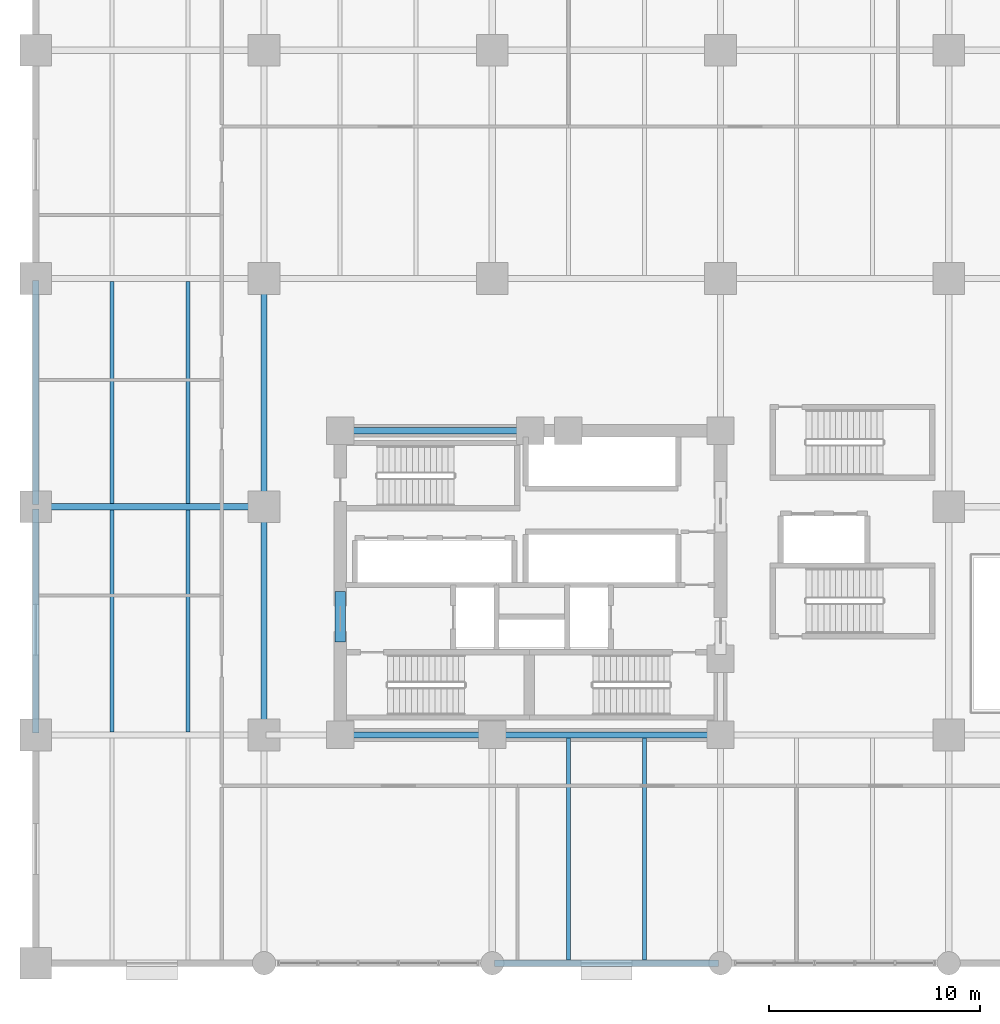
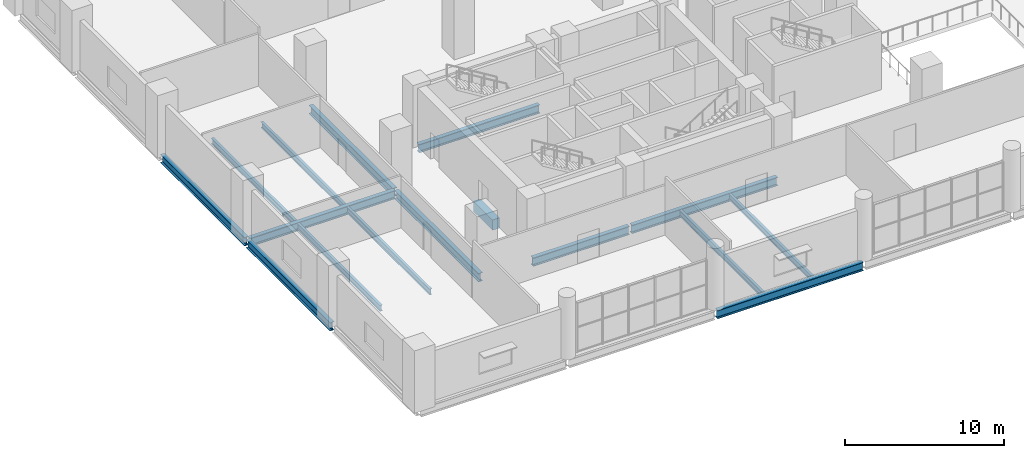
# One storey, part 4 of 16: 16 beams.
"""IFC4 building model written with IfcOpenShell, lengths in metres."""

from ifc_helpers import new_model, si_unit, direction, frame, origin, origin_2d, place, context, subcontext, project, spatial, rectangle, i_section, extrude, material, material_profile, profile_set, type_object, element, save


model = new_model("IFC4")

# Units and contexts
model_context = context("Model", 3, precision=1e-05, world=origin(), true_north=direction((0.0, 1.0)))
body_context = subcontext(model_context, "Body", "Model", "MODEL_VIEW")
ifc_project = project(units=[si_unit("LENGTHUNIT", "METRE"), si_unit("AREAUNIT", "SQUARE_METRE"), si_unit("VOLUMEUNIT", "CUBIC_METRE"), si_unit("PLANEANGLEUNIT", "RADIAN"), si_unit("MASSUNIT", "GRAM", prefix="KILO")], contexts=[model_context])

# Site, building, storey
site_placement = place(None, origin())
site = spatial("IfcSite", under=ifc_project, at=site_placement, CompositionType="ELEMENT")
building_placement = place(site_placement, origin())
building = spatial("IfcBuilding", under=site, at=building_placement, Name="Solnavia Interchange Tower", CompositionType="ELEMENT")
storey_placement = place(building_placement, frame((0.0, 0.0, 5.39990234375)))
storey = spatial("IfcBuildingStorey", under=building, at=storey_placement, Name="L01", CompositionType="ELEMENT", Elevation=5.39990234375)

# Beams
ifc_material_1 = material(Name="Concrete C50/60", Category="concrete")
ifc_material_profile_1 = material_profile(ifc_material_1, rectangle(XDim=0.5, YDim=0.800048828125, at=origin_2d()), Name="RC 500x800")
ifc_profile_set_1 = profile_set([ifc_material_profile_1], Name="Concrete C50/60")
beam_type_1 = type_object("IfcBeamType", Name="Beam-Coupling-RC500x800", PredefinedType="LINTEL", material=ifc_profile_set_1)
beam_1_placement = place(storey_placement, frame((14.39990234375, 15.199951171875, -0.39990234375), z_axis=(0.0, 1.0, 0.0), x_axis=(-1.0, 0.0, 0.0)))
element("IfcBeam", 1, at=beam_1_placement, inside=storey, type_object=beam_type_1, Name="CPB-L01-W1 Core coupling lintel beam", PredefinedType="LINTEL", context=body_context, shape_type="SweptSolid", body=[
    extrude(rectangle(XDim=0.5, YDim=0.800048828125, at=origin_2d()), origin(), (0.0, 0.0, 1.0), 2.400146484375),
])
ifc_material_2 = material(Name="Steel S460", Category="steel")
ifc_material_profile_2 = material_profile(ifc_material_2, i_section(OverallWidth=0.300048828125, OverallDepth=0.64990234375, WebThickness=0.01611328125, FlangeThickness=0.031005859375, FilletRadius=0.027099609375, at=origin_2d()), Name="HEB 650")
ifc_profile_set_2 = profile_set([ifc_material_profile_2], Name="Steel S460")
beam_type_2 = type_object("IfcBeamType", Name="Beam-Girder-HEB650", PredefinedType="BEAM", material=ifc_profile_set_2)
beam_2_placement = place(storey_placement, frame((21.699951171875, 0.0, -0.625), z_axis=(1.0, 0.0, 0.0), x_axis=(0.0, 1.0, 0.0)))
element("IfcBeam", 2, at=beam_2_placement, inside=storey, type_object=beam_type_2, Name="GRD-L01-03 Podium primary girder", PredefinedType="BEAM", context=body_context, shape_type="SweptSolid", body=[
    extrude(i_section(OverallWidth=0.300048828125, OverallDepth=0.64990234375, WebThickness=0.01611328125, FlangeThickness=0.031005859375, FilletRadius=0.027099609375, at=origin_2d()), origin(), (0.0, 0.0, 1.0), 10.60009765625),
])
beam_3_placement = place(storey_placement, frame((14.5, 10.800048828125, -0.625), z_axis=(1.0, 0.0, 0.0), x_axis=(0.0, 1.0, 0.0)))
element("IfcBeam", 3, at=beam_3_placement, inside=storey, type_object=beam_type_2, Name="GRD-L01-10 Podium primary girder", PredefinedType="BEAM", context=body_context, shape_type="SweptSolid", body=[
    extrude(i_section(OverallWidth=0.300048828125, OverallDepth=0.64990234375, WebThickness=0.01611328125, FlangeThickness=0.031005859375, FilletRadius=0.027099609375, at=origin_2d()), origin(), (0.0, 0.0, 1.0), 7.0),
])
beam_4_placement = place(storey_placement, frame((21.699951171875, 10.800048828125, -0.625), z_axis=(1.0, 0.0, 0.0), x_axis=(0.0, 1.0, 0.0)))
element("IfcBeam", 4, at=beam_4_placement, inside=storey, type_object=beam_type_2, Name="GRD-L01-11 Podium primary girder", PredefinedType="BEAM", context=body_context, shape_type="SweptSolid", body=[
    extrude(i_section(OverallWidth=0.300048828125, OverallDepth=0.64990234375, WebThickness=0.01611328125, FlangeThickness=0.031005859375, FilletRadius=0.027099609375, at=origin_2d()), origin(), (0.0, 0.0, 1.0), 10.60009765625),
])
beam_5_placement = place(storey_placement, frame((0.10009765625, 21.60009765625, -0.625), z_axis=(1.0, 0.0, 0.0), x_axis=(0.0, 1.0, 0.0)))
element("IfcBeam", 5, at=beam_5_placement, inside=storey, type_object=beam_type_2, Name="GRD-L01-17 Podium primary girder", PredefinedType="BEAM", context=body_context, shape_type="SweptSolid", body=[
    extrude(i_section(OverallWidth=0.300048828125, OverallDepth=0.64990234375, WebThickness=0.01611328125, FlangeThickness=0.031005859375, FilletRadius=0.027099609375, at=origin_2d()), origin(), (0.0, 0.0, 1.0), 10.599853515625),
])
beam_6_placement = place(storey_placement, frame((14.5, 25.199951171875, -0.625), z_axis=(1.0, 0.0, 0.0), x_axis=(0.0, 1.0, 0.0)))
element("IfcBeam", 6, at=beam_6_placement, inside=storey, type_object=beam_type_2, Name="GRD-L01-22 Podium primary girder", PredefinedType="BEAM", context=body_context, shape_type="SweptSolid", body=[
    extrude(i_section(OverallWidth=0.300048828125, OverallDepth=0.64990234375, WebThickness=0.01611328125, FlangeThickness=0.031005859375, FilletRadius=0.027099609375, at=origin_2d()), origin(), (0.0, 0.0, 1.0), 8.800048828125),
])
for number, where, z_axis, x_axis, name in (
    (7, (0.0, 10.89990234375, -0.625), (0.0, 1.0, 0.0), (-1.0, 0.0, 0.0), "GRD-L01-45 Podium primary girder"),
    (8, (0.0, 21.699951171875, -0.625), (0.0, 1.0, 0.0), (-1.0, 0.0, 0.0), "GRD-L01-46 Podium primary girder"),
    (9, (10.800048828125, 10.89990234375, -0.625), (0.0, 1.0, 0.0), (-1.0, 0.0, 0.0), "GRD-L01-50 Podium primary girder"),
    (10, (10.800048828125, 21.699951171875, -0.625), (0.0, 1.0, 0.0), (-1.0, 0.0, 0.0), "GRD-L01-51 Podium primary girder"),
):
    element("IfcBeam", number, at=place(storey_placement, frame(where, z_axis=z_axis, x_axis=x_axis)), inside=storey, type_object=beam_type_2, Name=name, PredefinedType="BEAM", context=body_context, shape_type="SweptSolid", body=[
        extrude(i_section(OverallWidth=0.300048828125, OverallDepth=0.64990234375, WebThickness=0.01611328125, FlangeThickness=0.031005859375, FilletRadius=0.027099609375, at=origin_2d()), origin(), (0.0, 0.0, 1.0), 10.60009765625),
    ])
ifc_material_3 = material(Name="Steel S355", Category="steel")
ifc_material_profile_3 = material_profile(ifc_material_3, i_section(OverallWidth=0.18994140625, OverallDepth=0.449951171875, WebThickness=0.009521484375, FlangeThickness=0.0146484375, FilletRadius=0.02099609375, at=origin_2d()), Name="IPE 450")
ifc_profile_set_3 = profile_set([ifc_material_profile_3], Name="Steel S355")
beam_type_3 = type_object("IfcBeamType", Name="Beam-Joist-IPE450", PredefinedType="JOIST", material=ifc_profile_set_3)
for number, where, z_axis, x_axis, name in (
    (11, (3.60009765625, 10.949951171875, -0.52490234375), (0.0, 1.0, 0.0), (-1.0, 0.0, 0.0), "JST-L01-02 Podium composite floor joist"),
    (12, (3.60009765625, 21.75, -0.52490234375), (0.0, 1.0, 0.0), (-1.0, 0.0, 0.0), "JST-L01-03 Podium composite floor joist"),
    (13, (7.199951171875, 10.949951171875, -0.52490234375), (0.0, 1.0, 0.0), (-1.0, 0.0, 0.0), "JST-L01-07 Podium composite floor joist"),
    (14, (7.199951171875, 21.75, -0.52490234375), (0.0, 1.0, 0.0), (-1.0, 0.0, 0.0), "JST-L01-08 Podium composite floor joist"),
    (15, (25.199951171875, 0.14990234375, -0.52490234375), (0.0, 1.0, 0.0), (-1.0, 0.0, 0.0), "JST-L01-15 Podium composite floor joist"),
    (16, (28.800048828125, 0.14990234375, -0.52490234375), (0.0, 1.0, 0.0), (-1.0, 0.0, 0.0), "JST-L01-18 Podium composite floor joist"),
):
    element("IfcBeam", number, at=place(storey_placement, frame(where, z_axis=z_axis, x_axis=x_axis)), inside=storey, type_object=beam_type_3, Name=name, PredefinedType="JOIST", context=body_context, shape_type="SweptSolid", body=[
        extrude(i_section(OverallWidth=0.18994140625, OverallDepth=0.449951171875, WebThickness=0.009521484375, FlangeThickness=0.0146484375, FilletRadius=0.02099609375, at=origin_2d()), origin(), (0.0, 0.0, 1.0), 10.5),
    ])

save(model, "model.ifc")
